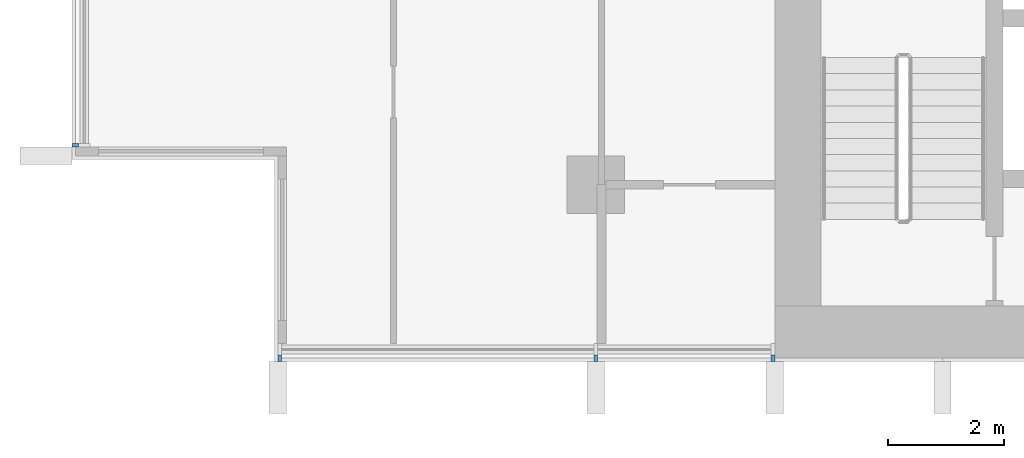
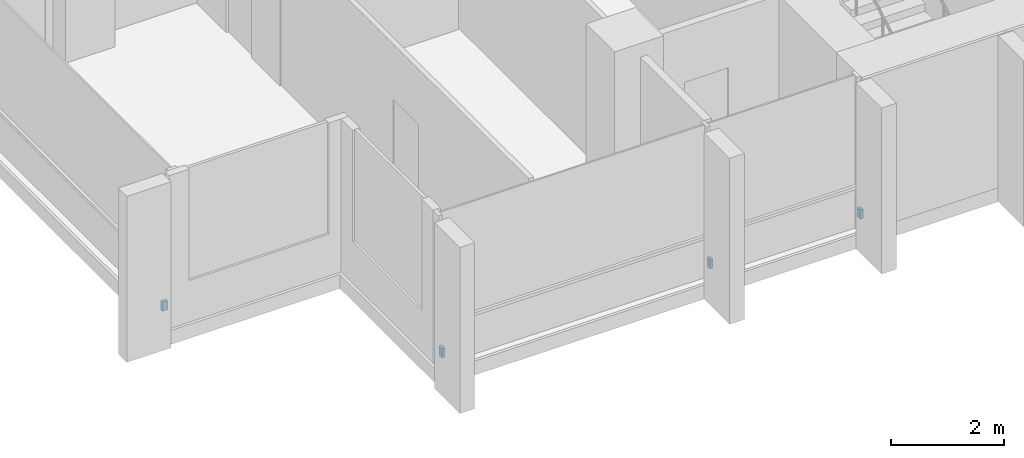
# One storey, part 13 of 17: 4 discrete accessories.
"""IFC4 building model written with IfcOpenShell, lengths in metres."""

from ifc_helpers import new_model, si_unit, direction, frame, origin, origin_2d, place, context, subcontext, project, spatial, rectangle, extrude, material, type_object, element, save


model = new_model("IFC4")

# Units and contexts
model_context = context("Model", 3, precision=1e-05, world=origin(), true_north=direction((0.0, 1.0)))
body_context = subcontext(model_context, "Body", "Model", "MODEL_VIEW")
ifc_project = project(units=[si_unit("LENGTHUNIT", "METRE"), si_unit("AREAUNIT", "SQUARE_METRE"), si_unit("VOLUMEUNIT", "CUBIC_METRE"), si_unit("PLANEANGLEUNIT", "RADIAN"), si_unit("MASSUNIT", "GRAM", prefix="KILO")], contexts=[model_context])

# Site, building, storey
site_placement = place(None, origin())
site = spatial("IfcSite", under=ifc_project, at=site_placement, CompositionType="ELEMENT")
building_placement = place(site_placement, origin())
building = spatial("IfcBuilding", under=site, at=building_placement, Name="Finial Court Residences", CompositionType="ELEMENT")
storey_placement = place(building_placement, frame((0.0, 0.0, 117.10009765625)))
storey = spatial("IfcBuildingStorey", under=building, at=storey_placement, Name="L29", CompositionType="ELEMENT", Elevation=117.10009765625)

# Discrete accessories
ifc_material = material(Name="Stainless steel 316", Category="steel")
discrete_accessory_type = type_object("IfcDiscreteAccessoryType", Name="Fin bracket, stainless steel 65 x 110 x 200", PredefinedType="BRACKET", material=ifc_material)
for number, where, z_axis, x_axis, name in (
    (1, (-21.967529296875, -25.5048828125, 0.2998046875), (0.0, 0.0, 1.0), (1.0, 0.0, 0.0), "E-L29-FIN-S16-BRK"),
    (2, (-16.5, -25.5048828125, 0.2998046875), (0.0, 0.0, 1.0), (1.0, 0.0, 0.0), "E-L29-FIN-S17-BRK"),
    (3, (-13.4326171875, -25.5048828125, 0.2998046875), (0.0, 0.0, 1.0), (1.0, 0.0, 0.0), "E-L29-FIN-S18-BRK"),
):
    element("IfcDiscreteAccessory", number, at=place(storey_placement, frame(where, z_axis=z_axis, x_axis=x_axis)), inside=storey, type_object=discrete_accessory_type, Name=name, PredefinedType="BRACKET", context=body_context, shape_type="SweptSolid", body=[
        extrude(rectangle(XDim=0.06494140625, YDim=0.110107421875, at=origin_2d()), origin(), (0.0, 0.0, 1.0), 0.199951171875),
    ])
discrete_accessory_placement = place(storey_placement, frame((-25.5048828125, -21.8173828125, 0.2998046875), z_axis=(0.0, 0.0, 1.0), x_axis=(1.0, 0.0, 0.0)))
element("IfcDiscreteAccessory", 4, at=discrete_accessory_placement, inside=storey, type_object=discrete_accessory_type, Name="E-L29-FIN-W26-BRK", PredefinedType="BRACKET", context=body_context, shape_type="SweptSolid", body=[
    extrude(rectangle(XDim=0.110107421875, YDim=0.06494140625, at=origin_2d()), origin(), (0.0, 0.0, 1.0), 0.199951171875),
])

save(model, "model.ifc")
